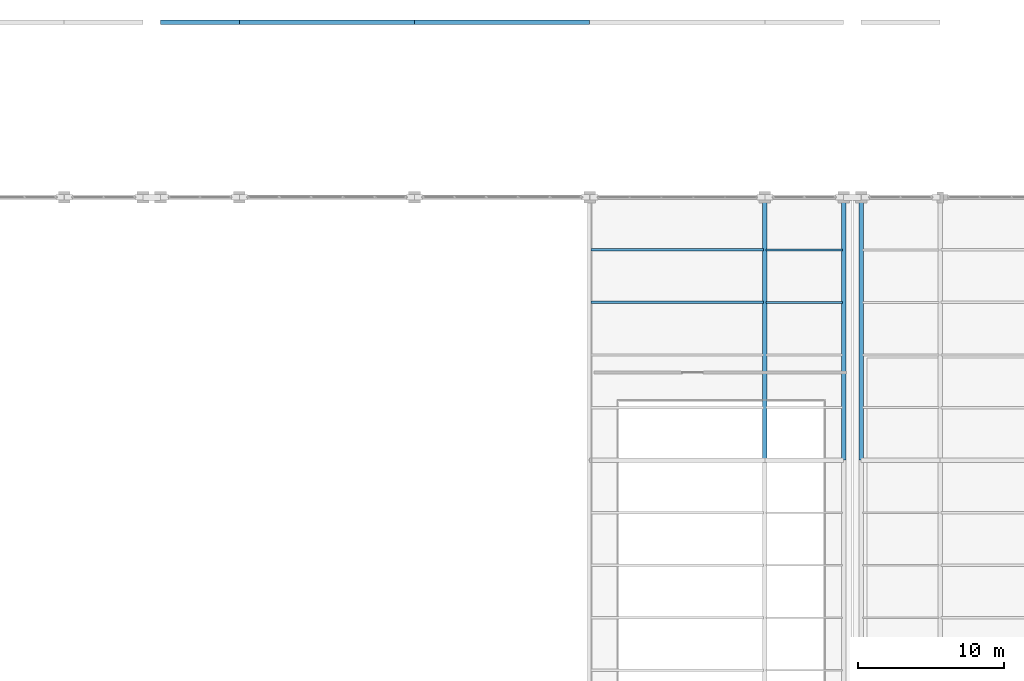
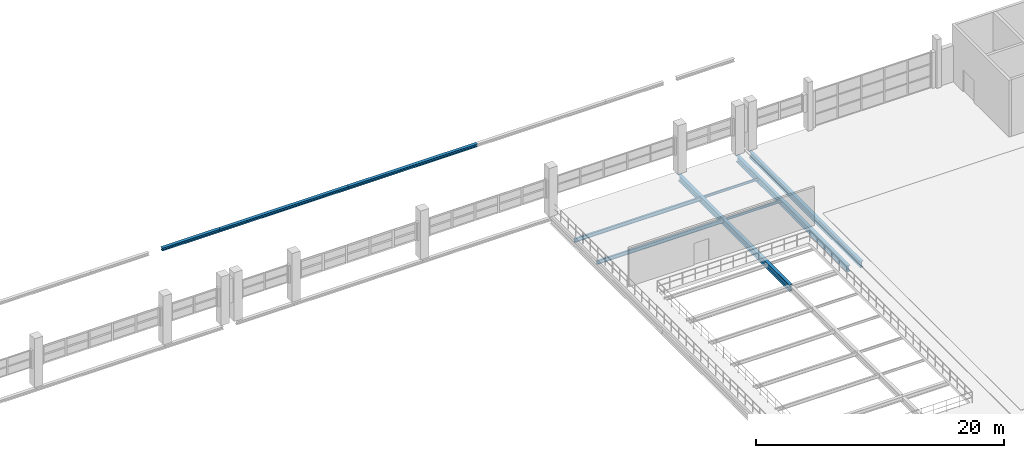
# One storey, part 61 of 86: 10 beams.
"""IFC4 building model written with IfcOpenShell, lengths in metres."""

from ifc_helpers import new_model, si_unit, direction, frame, origin, origin_2d, place, context, subcontext, project, spatial, i_section, extrude, material, material_profile, profile_set, type_object, element, save


model = new_model("IFC4")

# Units and contexts
model_context = context("Model", 3, precision=1e-05, world=origin(), true_north=direction((0.0, 1.0)))
body_context = subcontext(model_context, "Body", "Model", "MODEL_VIEW")
ifc_project = project(units=[si_unit("LENGTHUNIT", "METRE"), si_unit("AREAUNIT", "SQUARE_METRE"), si_unit("VOLUMEUNIT", "CUBIC_METRE"), si_unit("PLANEANGLEUNIT", "RADIAN"), si_unit("MASSUNIT", "GRAM", prefix="KILO")], contexts=[model_context])

# Site, building, storey
site_placement = place(None, origin())
site = spatial("IfcSite", under=ifc_project, at=site_placement, CompositionType="ELEMENT")
building_placement = place(site_placement, origin())
building = spatial("IfcBuilding", under=site, at=building_placement, Name="Zilviju Railside Exhibition Hall", CompositionType="ELEMENT")
storey_placement = place(building_placement, frame((0.0, 0.0, 12.60009765625)))
storey = spatial("IfcBuildingStorey", under=building, at=storey_placement, Name="L04", CompositionType="ELEMENT", Elevation=12.60009765625)

# Beams
ifc_material = material(Name="Steel S355J2", Category="steel")
ifc_material_profile_1 = material_profile(ifc_material, i_section(OverallWidth=0.300048828125, OverallDepth=0.2900390625, WebThickness=0.008544921875, FlangeThickness=0.013916015625, at=origin_2d()), Name="HEA 300")
ifc_profile_set_1 = profile_set([ifc_material_profile_1], Name="Steel S355J2")
beam_type_1 = type_object("IfcBeamType", Name="BM-HEA300", PredefinedType="SPANDREL", material=ifc_profile_set_1)
beam_placement = place(storey_placement, frame((126.60009765625, 150.0, -0.485107421875), z_axis=(1.0, 0.0, 0.0), x_axis=(0.0, 1.0, 0.0)))
element("IfcBeam", 1, at=beam_placement, inside=storey, type_object=beam_type_1, Name="Primary Girder L04 Y=150.0 (126.6..132.0)", PredefinedType="SPANDREL", context=body_context, shape_type="SweptSolid", body=[
    extrude(i_section(OverallWidth=0.300048828125, OverallDepth=0.2900390625, WebThickness=0.008544921875, FlangeThickness=0.013916015625, at=origin_2d()), origin(), (0.0, 0.0, 1.0), 5.39990234375),
])
for number, where, z_axis, x_axis, name in (
    (2, (132.0, 150.0, -0.485107421875), (1.0, 0.0, 0.0), (0.0, 1.0, 0.0), "Primary Girder L04 Y=150.0 (132.0..144.0)"),
    (3, (144.0, 150.0, -0.485107421875), (1.0, 0.0, 0.0), (0.0, 1.0, 0.0), "Primary Girder L04 Y=150.0 (144.0..156.0)"),
):
    element("IfcBeam", number, at=place(storey_placement, frame(where, z_axis=z_axis, x_axis=x_axis)), inside=storey, type_object=beam_type_1, Name=name, PredefinedType="SPANDREL", context=body_context, shape_type="SweptSolid", body=[
        extrude(i_section(OverallWidth=0.300048828125, OverallDepth=0.2900390625, WebThickness=0.008544921875, FlangeThickness=0.013916015625, at=origin_2d()), origin(), (0.0, 0.0, 1.0), 12.0),
    ])
ifc_material_profile_2 = material_profile(ifc_material, i_section(OverallWidth=0.300048828125, OverallDepth=0.60009765625, WebThickness=0.015380859375, FlangeThickness=0.030029296875, at=origin_2d()), Name="HEB 600")
ifc_profile_set_2 = profile_set([ifc_material_profile_2], Name="Steel S355J2")
beam_type_2 = type_object("IfcBeamType", Name="BM-HEB600", PredefinedType="BEAM", material=ifc_profile_set_2)
for number, where, z_axis, x_axis, name in (
    (4, (168.0, 120.0, -0.630126953125), (0.0, 1.0, 0.0), (-1.0, 0.0, 0.0), "Transverse Girder L04 X=168.0 (120.0..138.0)"),
    (5, (173.39990234375, 120.0, -0.630126953125), (0.0, 1.0, 0.0), (-1.0, 0.0, 0.0), "Transverse Girder L04 X=173.4 (120.0..138.0)"),
    (6, (174.60009765625, 120.0, -0.630126953125), (0.0, 1.0, 0.0), (-1.0, 0.0, 0.0), "Transverse Girder L04 X=174.6 (120.0..138.0)"),
):
    element("IfcBeam", number, at=place(storey_placement, frame(where, z_axis=z_axis, x_axis=x_axis)), inside=storey, type_object=beam_type_2, Name=name, PredefinedType="BEAM", context=body_context, shape_type="SweptSolid", body=[
        extrude(i_section(OverallWidth=0.300048828125, OverallDepth=0.60009765625, WebThickness=0.015380859375, FlangeThickness=0.030029296875, at=origin_2d()), origin(), (0.0, 0.0, 1.0), 18.0),
    ])
ifc_material_profile_3 = material_profile(ifc_material, i_section(OverallWidth=0.1201171875, OverallDepth=0.239990234375, WebThickness=0.006103515625, FlangeThickness=0.009765625, at=origin_2d()), Name="IPE 240")
ifc_profile_set_3 = profile_set([ifc_material_profile_3], Name="Steel S355J2")
beam_type_3 = type_object("IfcBeamType", Name="BM-IPE240", PredefinedType="JOIST", material=ifc_profile_set_3)
for number, where, z_axis, x_axis, name in (
    (7, (168.080078125, 130.800048828125, -0.4501953125), (1.0, 0.0, 0.0), (0.0, 1.0, 0.0), "Composite Floor Joist L04 Y=130.80 (168.0..173.4)"),
    (8, (168.080078125, 134.39990234375, -0.4501953125), (1.0, 0.0, 0.0), (0.0, 1.0, 0.0), "Composite Floor Joist L04 Y=134.40 (168.0..173.4)"),
):
    element("IfcBeam", number, at=place(storey_placement, frame(where, z_axis=z_axis, x_axis=x_axis)), inside=storey, type_object=beam_type_3, Name=name, PredefinedType="JOIST", context=body_context, shape_type="SweptSolid", body=[
        extrude(i_section(OverallWidth=0.1201171875, OverallDepth=0.239990234375, WebThickness=0.006103515625, FlangeThickness=0.009765625, at=origin_2d()), origin(), (0.0, 0.0, 1.0), 5.239990234375),
    ])
ifc_material_profile_4 = material_profile(ifc_material, i_section(OverallWidth=0.169921875, OverallDepth=0.360107421875, WebThickness=0.008056640625, FlangeThickness=0.0126953125, at=origin_2d()), Name="IPE 360")
ifc_profile_set_4 = profile_set([ifc_material_profile_4], Name="Steel S355J2")
beam_type_4 = type_object("IfcBeamType", Name="BM-IPE360", PredefinedType="JOIST", material=ifc_profile_set_4)
for number, where, z_axis, x_axis, name in (
    (9, (156.080078125, 130.800048828125, -0.510009765625), (1.0, 0.0, 0.0), (0.0, 1.0, 0.0), "Composite Floor Joist L04 Y=130.80 (156.0..168.0)"),
    (10, (156.080078125, 134.39990234375, -0.510009765625), (1.0, 0.0, 0.0), (0.0, 1.0, 0.0), "Composite Floor Joist L04 Y=134.40 (156.0..168.0)"),
):
    element("IfcBeam", number, at=place(storey_placement, frame(where, z_axis=z_axis, x_axis=x_axis)), inside=storey, type_object=beam_type_4, Name=name, PredefinedType="JOIST", context=body_context, shape_type="SweptSolid", body=[
        extrude(i_section(OverallWidth=0.169921875, OverallDepth=0.360107421875, WebThickness=0.008056640625, FlangeThickness=0.0126953125, at=origin_2d()), origin(), (0.0, 0.0, 1.0), 11.83984375),
    ])

save(model, "model.ifc")
